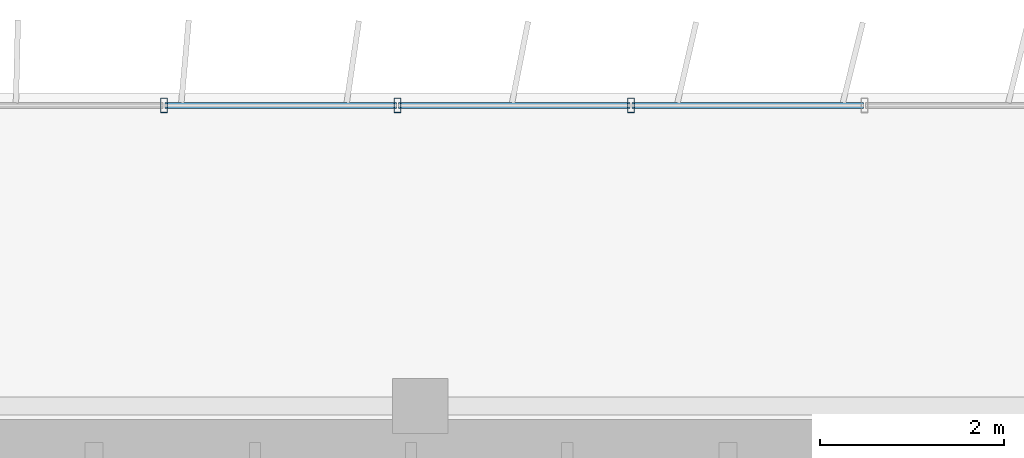
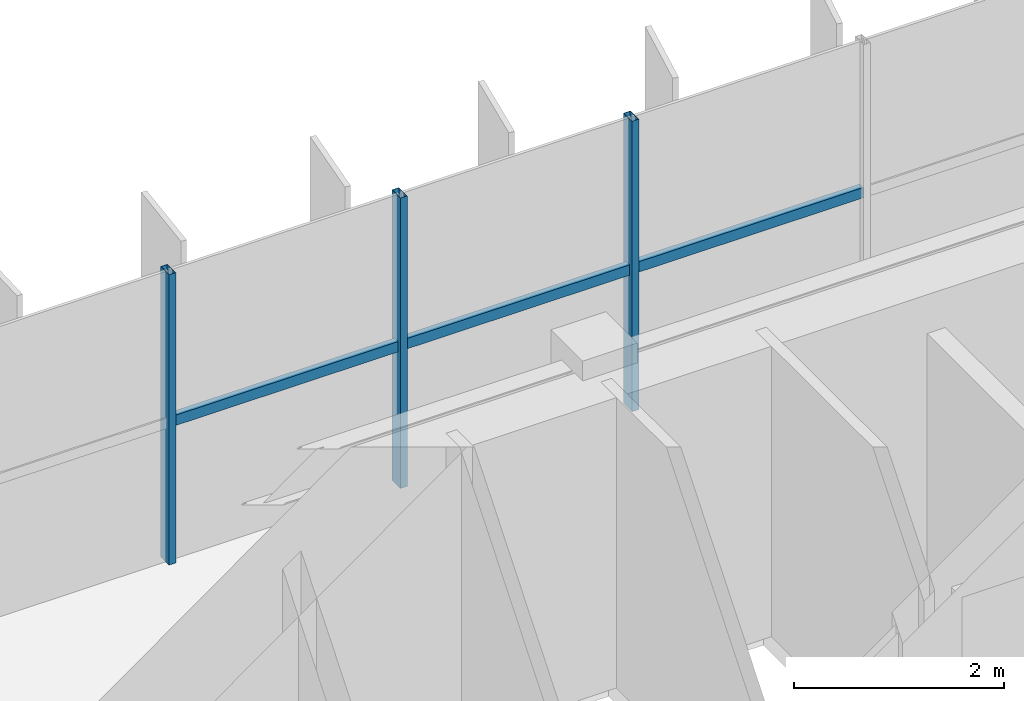
# One storey, part 11 of 22: 6 members, 1 element without a shape of its own.
"""IFC4 building model written with IfcOpenShell, lengths in metres."""

from ifc_helpers import new_model, si_unit, direction, frame, origin, origin_2d, place, context, subcontext, project, spatial, hollow_rectangle, extrude, source, transform, mapped, material, material_profile, profile_set, type_object, element, aggregate, save


model = new_model("IFC4")

# Units and contexts
model_context = context("Model", 3, precision=1e-05, world=origin(), true_north=direction((0.0, 1.0)))
body_context = subcontext(model_context, "Body", "Model", "MODEL_VIEW")
ifc_project = project(units=[si_unit("LENGTHUNIT", "METRE"), si_unit("AREAUNIT", "SQUARE_METRE"), si_unit("VOLUMEUNIT", "CUBIC_METRE"), si_unit("PLANEANGLEUNIT", "RADIAN"), si_unit("MASSUNIT", "GRAM", prefix="KILO")], contexts=[model_context])

# Site, building, storey
site_placement = place(None, origin())
site = spatial("IfcSite", under=ifc_project, at=site_placement, CompositionType="ELEMENT")
building_placement = place(site_placement, origin())
building = spatial("IfcBuilding", under=site, at=building_placement, Name="Trelvane Seafront Commons", CompositionType="ELEMENT")
storey_placement = place(building_placement, frame((0.0, 0.0, 288.300048828125)))
storey = spatial("IfcBuildingStorey", under=building, at=storey_placement, Name="L75", CompositionType="ELEMENT", Elevation=288.300048828125)

# Curtain wall, members
ifc_material = material(Name="Anodised pale-silver aluminium", Category="aluminium")
curtain_wall_type = type_object("IfcCurtainWallType", Name="ARCH-CW5-UPTOWER", PredefinedType="NOTDEFINED", material=ifc_material)
curtain_wall_placement = place(storey_placement, origin())
curtain_wall = element("IfcCurtainWall", 1, at=curtain_wall_placement, inside=storey, type_object=curtain_wall_type, Name="CW-L75-0119", PredefinedType="NOTDEFINED")
ifc_material_profile_1 = material_profile(ifc_material, hollow_rectangle(XDim=0.070068359375, YDim=0.1201171875, WallThickness=0.00390625, at=origin_2d()), Name="TRAN-70x120x4")
ifc_profile_set_1 = profile_set([ifc_material_profile_1], Name="Anodised pale-silver aluminium")
member_type_1 = type_object("IfcMemberType", Name="ARCH-CW-TRAN-120", PredefinedType="USERDEFINED", material=ifc_profile_set_1)
shared_shape_1 = source(origin(), body_context, "Body", "SweptSolid", [
    extrude(hollow_rectangle(XDim=0.070068359375, YDim=0.1201171875, WallThickness=0.00390625, at=origin_2d()), origin(), (0.0, 0.0, 1.0), 2.51708984375),
])
member_1_placement = place(storey_placement, frame((43.56494140625, 48.3701171875, 1.617919921875), z_axis=(1.0, 0.0, 0.0), x_axis=(0.0, 1.0, 0.0)))
member_1 = element("IfcMember", 2, at=member_1_placement, type_object=member_type_1, Name="CW-L75-0119-T11", ObjectType="TRANSOM", PredefinedType="USERDEFINED", context=body_context, shape_type="MappedRepresentation", body=[
    mapped(shared_shape_1, transform((0.0, 0.0, 0.0), x_axis=(1.0, 0.0, 0.0), y_axis=(0.0, 1.0, 0.0), z_axis=(0.0, 0.0, 1.0), scale=1.0)),
])
member_2_placement = place(storey_placement, frame((46.106201171875, 48.3701171875, 1.617919921875), z_axis=(1.0, 0.0, 0.0), x_axis=(0.0, 1.0, 0.0)))
member_2 = element("IfcMember", 3, at=member_2_placement, type_object=member_type_1, Name="CW-L75-0119-T12", ObjectType="TRANSOM", PredefinedType="USERDEFINED", context=body_context, shape_type="MappedRepresentation", body=[
    mapped(shared_shape_1, transform((0.0, 0.0, 0.0), x_axis=(1.0, 0.0, 0.0), y_axis=(0.0, 1.0, 0.0), z_axis=(0.0, 0.0, 1.0), scale=1.0)),
])
shared_shape_2 = source(origin(), body_context, "Body", "SweptSolid", [
    extrude(hollow_rectangle(XDim=0.070068359375, YDim=0.1201171875, WallThickness=0.00390625, at=origin_2d()), origin(), (0.0, 0.0, 1.0), 2.517333984375),
])
member_3_placement = place(storey_placement, frame((41.023681640625, 48.3701171875, 1.617919921875), z_axis=(1.0, 0.0, 0.0), x_axis=(0.0, 1.0, 0.0)))
member_3 = element("IfcMember", 4, at=member_3_placement, type_object=member_type_1, Name="CW-L75-0119-T10", ObjectType="TRANSOM", PredefinedType="USERDEFINED", context=body_context, shape_type="MappedRepresentation", body=[
    mapped(shared_shape_2, transform((0.0, 0.0, 0.0), x_axis=(1.0, 0.0, 0.0), y_axis=(0.0, 1.0, 0.0), z_axis=(0.0, 0.0, 1.0), scale=1.0)),
])
ifc_material_profile_2 = material_profile(ifc_material, hollow_rectangle(XDim=0.074951171875, YDim=0.159912109375, WallThickness=0.00390625, at=origin_2d()), Name="MULL-75x160x4")
ifc_profile_set_2 = profile_set([ifc_material_profile_2], Name="Anodised pale-silver aluminium")
member_type_2 = type_object("IfcMemberType", Name="ARCH-CW-MULL-160", PredefinedType="MULLION", material=ifc_profile_set_2)
shared_shape_3 = source(origin(), body_context, "Body", "SweptSolid", [
    extrude(hollow_rectangle(XDim=0.074951171875, YDim=0.159912109375, WallThickness=0.00390625, at=origin_2d()), origin(), (0.0, 0.0, 1.0), 3.369873046875),
])
member_4_placement = place(storey_placement, frame((41.01171875, 48.3701171875, 0.0), z_axis=(0.0, 0.0, 1.0), x_axis=(1.0, 0.0, 0.0)))
member_4 = element("IfcMember", 5, at=member_4_placement, type_object=member_type_2, Name="CW-L75-0119-M10", PredefinedType="MULLION", context=body_context, shape_type="MappedRepresentation", body=[
    mapped(shared_shape_3, transform((0.0, 0.0, 0.0), x_axis=(1.0, 0.0, 0.0), y_axis=(0.0, 1.0, 0.0), z_axis=(0.0, 0.0, 1.0), scale=1.0)),
])
member_5_placement = place(storey_placement, frame((43.552978515625, 48.3701171875, 0.0), z_axis=(0.0, 0.0, 1.0), x_axis=(1.0, 0.0, 0.0)))
member_5 = element("IfcMember", 6, at=member_5_placement, type_object=member_type_2, Name="CW-L75-0119-M11", PredefinedType="MULLION", context=body_context, shape_type="MappedRepresentation", body=[
    mapped(shared_shape_3, transform((0.0, 0.0, 0.0), x_axis=(1.0, 0.0, 0.0), y_axis=(0.0, 1.0, 0.0), z_axis=(0.0, 0.0, 1.0), scale=1.0)),
])
member_6_placement = place(storey_placement, frame((46.093994140625, 48.3701171875, 0.0), z_axis=(0.0, 0.0, 1.0), x_axis=(1.0, 0.0, 0.0)))
member_6 = element("IfcMember", 7, at=member_6_placement, type_object=member_type_2, Name="CW-L75-0119-M12", PredefinedType="MULLION", context=body_context, shape_type="MappedRepresentation", body=[
    mapped(shared_shape_3, transform((0.0, 0.0, 0.0), x_axis=(1.0, 0.0, 0.0), y_axis=(0.0, 1.0, 0.0), z_axis=(0.0, 0.0, 1.0), scale=1.0)),
])
aggregate(curtain_wall, [member_4, member_5, member_6, member_3, member_1, member_2])

save(model, "model.ifc")
